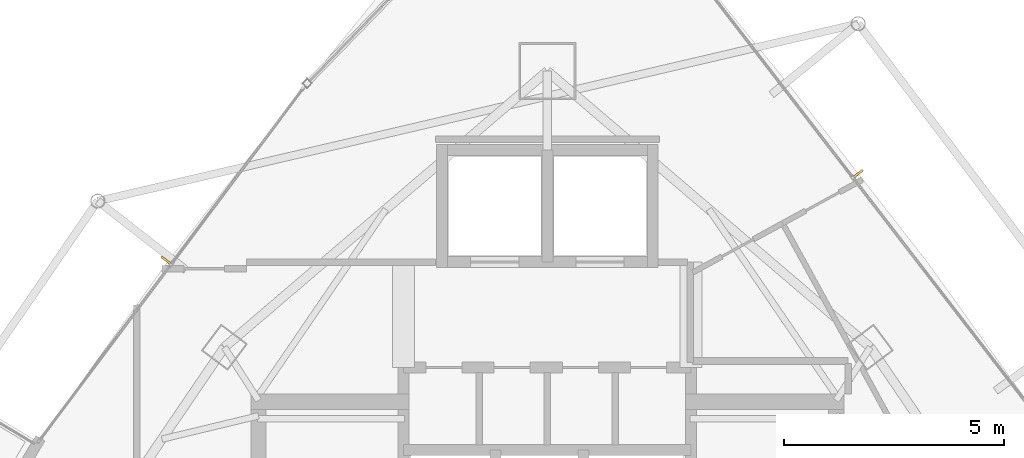
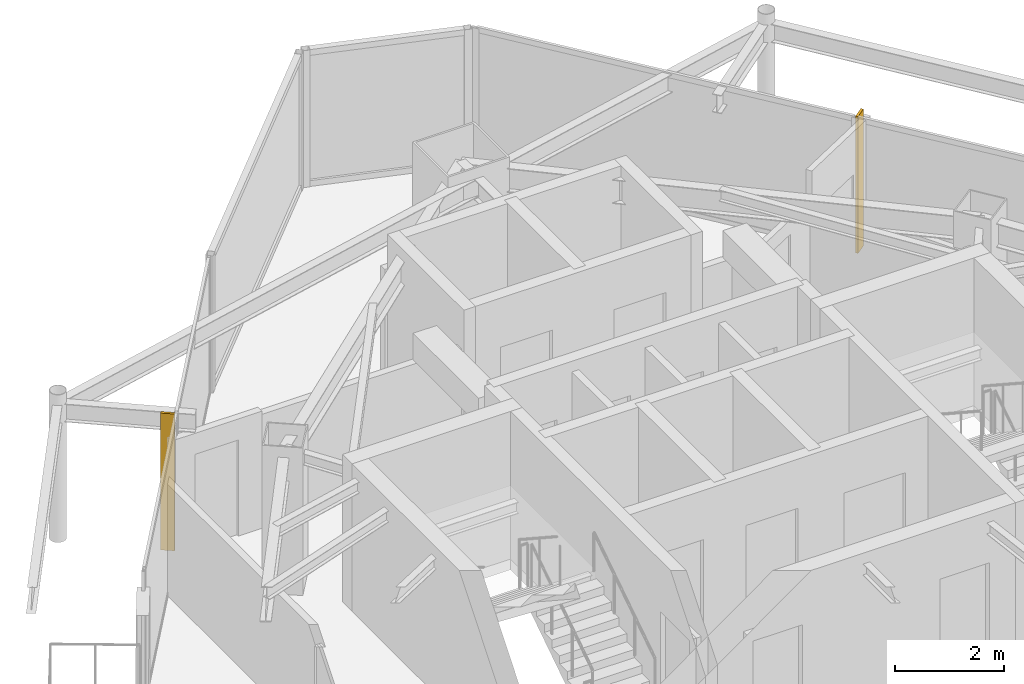
# One storey, part 32 of 32: 2 shading devices.
"""IFC4 building model written with IfcOpenShell, lengths in metres."""

from ifc_helpers import new_model, si_unit, direction, frame, origin, origin_2d, place, context, subcontext, project, spatial, rectangle, extrude, material, layer, layer_set, type_object, element, save


model = new_model("IFC4")

# Units and contexts
model_context = context("Model", 3, precision=1e-05, world=origin(), true_north=direction((0.0, 1.0)))
body_context = subcontext(model_context, "Body", "Model", "MODEL_VIEW")
ifc_project = project(units=[si_unit("LENGTHUNIT", "METRE"), si_unit("AREAUNIT", "SQUARE_METRE"), si_unit("VOLUMEUNIT", "CUBIC_METRE"), si_unit("PLANEANGLEUNIT", "RADIAN"), si_unit("MASSUNIT", "GRAM", prefix="KILO")], contexts=[model_context])

# Site, building, storey
site_placement = place(None, origin())
site = spatial("IfcSite", under=ifc_project, at=site_placement, CompositionType="ELEMENT")
building_placement = place(site_placement, origin())
building = spatial("IfcBuilding", under=site, at=building_placement, Name="Orvanel Arch Residences", CompositionType="ELEMENT")
storey_placement = place(building_placement, frame((0.0, 0.0, 216.199951171875)))
storey = spatial("IfcBuildingStorey", under=building, at=storey_placement, Name="L61", CompositionType="ELEMENT", Elevation=216.199951171875)

# Shading devices
ifc_material = material(Name="Bronze-anodised aluminium AA6063-T6", Category="aluminium")
ifc_layer = layer(ifc_material, 0.050048828125)
ifc_layer_set = layer_set([ifc_layer], Name="Bronze-anodised aluminium AA6063-T6")
shading_device_type = type_object("IfcShadingDeviceType", Name="FIN-BRZ-260", PredefinedType="USERDEFINED", material=ifc_layer_set)
for number, where, z_axis, x_axis, name in (
    (1, (24.31396484375, 37.096923828125, 0.0), (0.0, 0.0, 1.0), (-0.800731370949, 0.599023598516, 0.0), "L61 Anodised Bronze Mullion FIN 01"),
    (2, (40.077880859375, 39.06591796875, 0.0), (0.0, 0.0, 1.0), (0.792289643355, 0.610145163901, 0.0), "L61 Anodised Bronze Mullion FIN 01"),
):
    element("IfcShadingDevice", number, at=place(storey_placement, frame(where, z_axis=z_axis, x_axis=x_axis)), inside=storey, type_object=shading_device_type, Name=name, ObjectType="FIN", PredefinedType="USERDEFINED", context=body_context, shape_type="SweptSolid", body=[
        extrude(rectangle(XDim=0.260009765625, YDim=0.050048828125, at=origin_2d()), origin(), (0.0, 0.0, 1.0), 3.06005859375),
    ])

save(model, "model.ifc")
